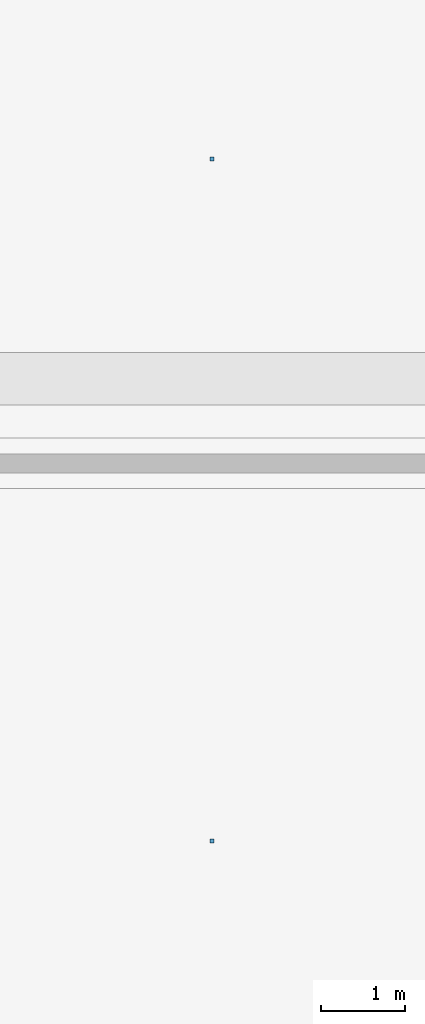
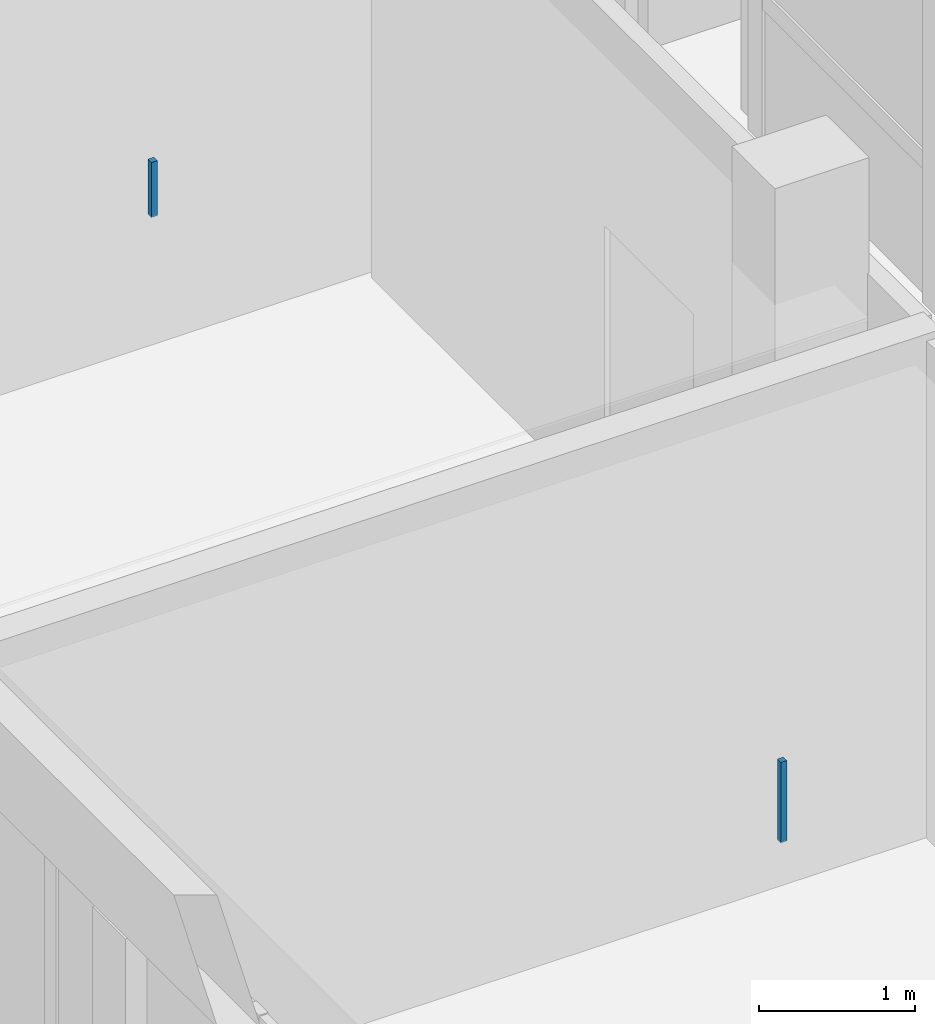
# One storey, part 61 of 88: 2 discrete accessories.
"""IFC4 building model written with IfcOpenShell, lengths in metres."""

from ifc_helpers import new_model, si_unit, derived_unit, direction, frame, origin, origin_2d, place, context, subcontext, project, spatial, rectangle, extrude, material, type_object, element, save


model = new_model("IFC4")

# Units and contexts
model_context = context("Model", 3, precision=1e-05, world=origin(), true_north=direction((0.0, 1.0)))
body_context = subcontext(model_context, "Body", "Model", "MODEL_VIEW")
ifc_project = project(units=[si_unit("LENGTHUNIT", "METRE"), si_unit("AREAUNIT", "SQUARE_METRE"), si_unit("VOLUMEUNIT", "CUBIC_METRE"), si_unit("PLANEANGLEUNIT", "RADIAN"), si_unit("MASSUNIT", "GRAM", prefix="KILO"), derived_unit("THERMALTRANSMITTANCEUNIT", [(si_unit("POWERUNIT", "WATT"), 1), (si_unit("LENGTHUNIT", "METRE"), -2), (si_unit("THERMODYNAMICTEMPERATUREUNIT", "KELVIN"), -1)])], contexts=[model_context])

# Site, building, storey
site_placement = place(None, origin())
site = spatial("IfcSite", under=ifc_project, at=site_placement, CompositionType="ELEMENT")
building_placement = place(site_placement, origin())
building = spatial("IfcBuilding", under=site, at=building_placement, Name="Braskholm Square Health Centre", CompositionType="ELEMENT")
storey_placement = place(building_placement, origin())
storey = spatial("IfcBuildingStorey", under=building, at=storey_placement, Name="L01", CompositionType="ELEMENT", Elevation=0.0)

# Discrete accessories
ifc_material = material(Name="Steel ASTM A500 Grade C", Category="steel")
discrete_accessory_type = type_object("IfcDiscreteAccessoryType", Name="CeilingSuspensionBracket", PredefinedType="BRACKET", material=ifc_material)
discrete_accessory_1_placement = place(storey_placement, frame((8.10205078125, 66.72509765625, 3.882080078125), z_axis=(0.0, 0.0, 1.0), x_axis=(1.0, 0.0, 0.0)))
element("IfcDiscreteAccessory", 1, at=discrete_accessory_1_placement, inside=storey, type_object=discrete_accessory_type, Name="Ceiling hanger bracket 0011", PredefinedType="BRACKET", context=body_context, shape_type="SweptSolid", body=[
    extrude(rectangle(XDim=0.044921875, YDim=0.044921875, at=origin_2d()), origin(), (0.0, 0.0, 1.0), 0.6298828125),
])
discrete_accessory_2_placement = place(storey_placement, frame((8.10205078125, 74.804931640625, 3.8818359375), z_axis=(0.0, 0.0, 1.0), x_axis=(1.0, 0.0, 0.0)))
element("IfcDiscreteAccessory", 2, at=discrete_accessory_2_placement, inside=storey, type_object=discrete_accessory_type, Name="Ceiling hanger bracket 0012", PredefinedType="BRACKET", context=body_context, shape_type="SweptSolid", body=[
    extrude(rectangle(XDim=0.044921875, YDim=0.044921875, at=origin_2d()), origin(), (0.0, 0.0, 1.0), 0.429931640625),
])

save(model, "model.ifc")
